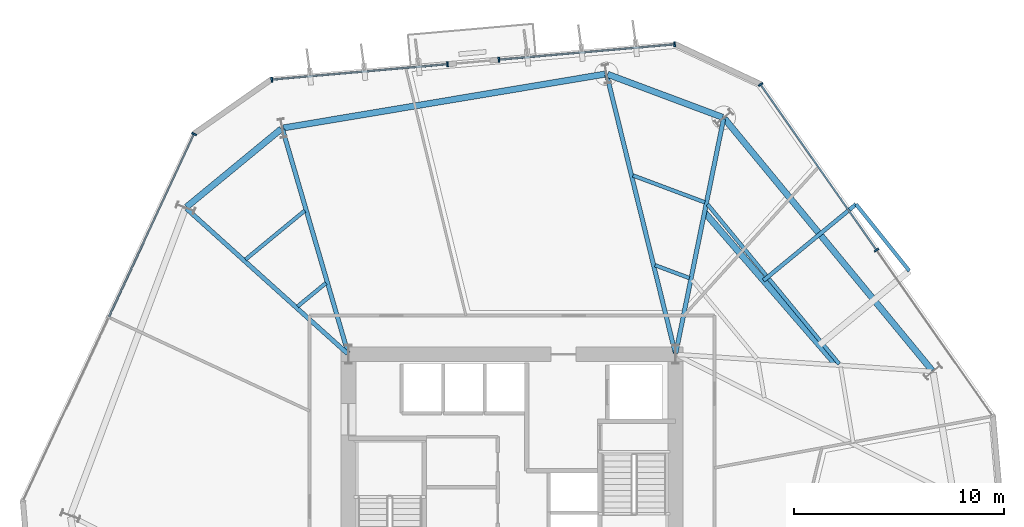
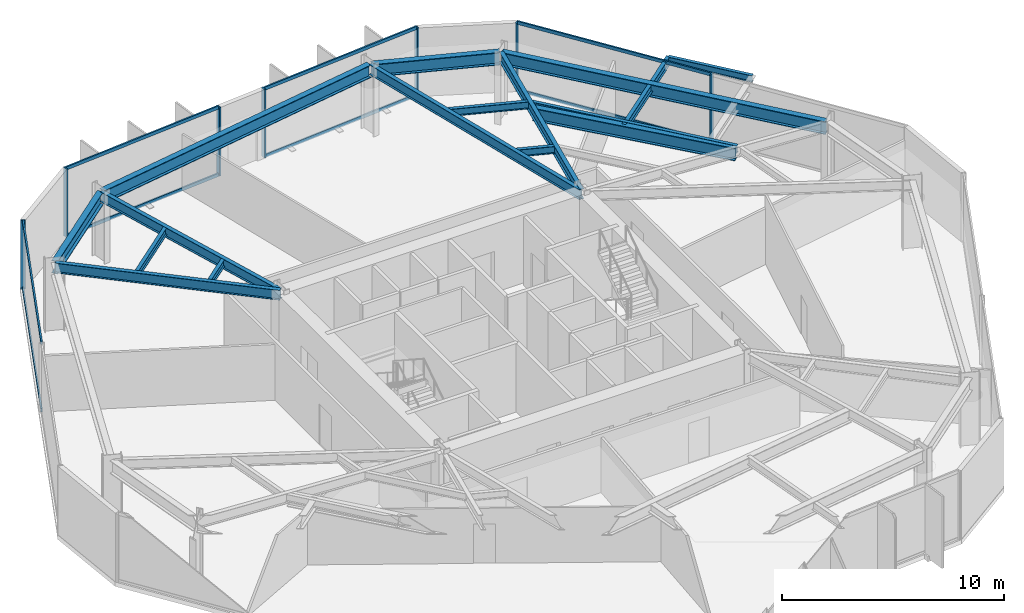
# One storey, part 5 of 11: 16 beams, 15 members, 4 elements without a shape of their own.
"""IFC4 building model written with IfcOpenShell, lengths in metres."""

from ifc_helpers import new_model, si_unit, direction, frame, origin, origin_2d, place, context, subcontext, project, spatial, rectangle, i_section, extrude, material, layer, layer_set, material_profile, profile_set, type_object, element, aggregate, save


model = new_model("IFC4")

# Units and contexts
model_context = context("Model", 3, precision=1e-05, world=origin(), true_north=direction((0.0, 1.0)))
body_context = subcontext(model_context, "Body", "Model", "MODEL_VIEW")
ifc_project = project(units=[si_unit("LENGTHUNIT", "METRE"), si_unit("AREAUNIT", "SQUARE_METRE"), si_unit("VOLUMEUNIT", "CUBIC_METRE"), si_unit("PLANEANGLEUNIT", "RADIAN"), si_unit("MASSUNIT", "GRAM", prefix="KILO")], contexts=[model_context])

# Site, building, storey
site_placement = place(None, origin())
site = spatial("IfcSite", under=ifc_project, at=site_placement, CompositionType="ELEMENT")
building_placement = place(site_placement, origin())
building = spatial("IfcBuilding", under=site, at=building_placement, Name="Kranzbogen Civic Tower", CompositionType="ELEMENT")
storey_placement = place(building_placement, frame((0.0, 0.0, 40.0)))
storey = spatial("IfcBuildingStorey", under=building, at=storey_placement, Name="L09", CompositionType="ELEMENT", Elevation=40.0)

# Beam
ifc_material_1 = material(Name="Steel S355", Category="steel")
ifc_material_profile_1 = material_profile(ifc_material_1, i_section(OverallWidth=0.18994140625, OverallDepth=0.449951171875, WebThickness=0.009521484375, FlangeThickness=0.0146484375, at=origin_2d()), Name="IPE 450")
ifc_profile_set_1 = profile_set([ifc_material_profile_1], Name="Steel S355")
beam_type_1 = type_object("IfcBeamType", Name="Braced Terrace Edge Beam IPE 450", PredefinedType="BEAM", material=ifc_profile_set_1)
beam_1_placement = place(storey_placement, frame((36.993896484375, 35.72412109375, 3.52490234375), z_axis=(0.771683549962, 0.636006681346, 0.0), x_axis=(-0.636006681346, 0.771683549962, 0.0)))
element("IfcBeam", 1, at=beam_1_placement, inside=storey, type_object=beam_type_1, Name="L10 back-spanned terrace beam L10-TB2-2", PredefinedType="BEAM", context=body_context, shape_type="SweptSolid", body=[
    extrude(i_section(OverallWidth=0.18994140625, OverallDepth=0.449951171875, WebThickness=0.009521484375, FlangeThickness=0.0146484375, at=origin_2d()), origin(), (0.0, 0.0, 1.0), 5.715087890625),
])

# Curtain wall, members
ifc_material_2 = material(Name="Pale Anodised Aluminium", Category="aluminium")
ifc_layer = layer(ifc_material_2, 0.219970703125, Name="Pale Anodised Aluminium")
ifc_layer_set = layer_set([ifc_layer], Name="Pale Anodised Aluminium")
curtain_wall_type = type_object("IfcCurtainWallType", Name="Zone 1 Stick Curtain Wall System CW-02", PredefinedType="USERDEFINED", material=ifc_layer_set)
curtain_wall_1_placement = place(storey_placement, origin())
curtain_wall_1 = element("IfcCurtainWall", 2, at=curtain_wall_1_placement, inside=storey, type_object=curtain_wall_type, Name="L09 curtain wall CW-L09-F1", ObjectType="STICK CURTAIN WALL", PredefinedType="USERDEFINED")
ifc_material_profile_2 = material_profile(ifc_material_2, rectangle(XDim=0.080078125, YDim=0.239990234375, at=origin_2d()), Name="ALU-M 80x240")
ifc_profile_set_2 = profile_set([ifc_material_profile_2], Name="Pale Anodised Aluminium")
member_type_1 = type_object("IfcMemberType", Name="Curtain Wall Mullion ALU-M 80x240", PredefinedType="MULLION", material=ifc_profile_set_2)
member_1_placement = place(storey_placement, frame((42.384521484375, 37.172607421875, 0.0), z_axis=(0.0, 0.0, 1.0), x_axis=(-0.573562973826, 0.819161470685, 0.0)))
member_1 = element("IfcMember", 3, at=member_1_placement, type_object=member_type_1, Name="CW-02 mullion 2", PredefinedType="MULLION", context=body_context, shape_type="SweptSolid", body=[
    extrude(rectangle(XDim=0.080078125, YDim=0.239990234375, at=origin_2d()), origin(), (0.0, 0.0, 1.0), 3.760009765625),
])
member_2_placement = place(storey_placement, frame((36.855224609375, 45.0693359375, 0.0), z_axis=(0.0, 0.0, 1.0), x_axis=(-0.573562973826, 0.819161470685, 0.0)))
member_2 = element("IfcMember", 4, at=member_2_placement, type_object=member_type_1, Name="CW-02 mullion 3", PredefinedType="MULLION", context=body_context, shape_type="SweptSolid", body=[
    extrude(rectangle(XDim=0.080078125, YDim=0.239990234375, at=origin_2d()), origin(), (0.0, 0.0, 1.0), 3.760009765625),
])

curtain_wall_2_placement = place(storey_placement, origin())
curtain_wall_2 = element("IfcCurtainWall", 5, at=curtain_wall_2_placement, inside=storey, type_object=curtain_wall_type, Name="L09 curtain wall CW-L09-F2-S1", ObjectType="STICK CURTAIN WALL", PredefinedType="USERDEFINED")
member_3_placement = place(storey_placement, frame((32.754150390625, 46.982421875, 0.0), z_axis=(0.0, 0.0, 1.0), x_axis=(-0.996197048613, -0.087128871992, 0.0)))
member_3 = element("IfcMember", 6, at=member_3_placement, type_object=member_type_1, Name="CW-02 mullion 1", PredefinedType="MULLION", context=body_context, shape_type="SweptSolid", body=[
    extrude(rectangle(XDim=0.080078125, YDim=0.239990234375, at=origin_2d()), origin(), (0.0, 0.0, 1.0), 3.760009765625),
])
member_4_placement = place(storey_placement, frame((24.3759765625, 46.24951171875, 0.0), z_axis=(0.0, 0.0, 1.0), x_axis=(-0.996197048613, -0.087128871992, 0.0)))
member_4 = element("IfcMember", 7, at=member_4_placement, type_object=member_type_1, Name="CW-02 mullion 2", PredefinedType="MULLION", context=body_context, shape_type="SweptSolid", body=[
    extrude(rectangle(XDim=0.080078125, YDim=0.239990234375, at=origin_2d()), origin(), (0.0, 0.0, 1.0), 3.760009765625),
])

curtain_wall_3_placement = place(storey_placement, origin())
curtain_wall_3 = element("IfcCurtainWall", 8, at=curtain_wall_3_placement, inside=storey, type_object=curtain_wall_type, Name="L09 curtain wall CW-L09-F2-S2", ObjectType="STICK CURTAIN WALL", PredefinedType="USERDEFINED")
member_5_placement = place(storey_placement, frame((21.925048828125, 46.034423828125, 0.0), z_axis=(0.0, 0.0, 1.0), x_axis=(-0.996197048613, -0.087128871992, 0.0)))
member_5 = element("IfcMember", 9, at=member_5_placement, type_object=member_type_1, Name="CW-02 mullion 1", PredefinedType="MULLION", context=body_context, shape_type="SweptSolid", body=[
    extrude(rectangle(XDim=0.080078125, YDim=0.239990234375, at=origin_2d()), origin(), (0.0, 0.0, 1.0), 3.760009765625),
])
member_6_placement = place(storey_placement, frame((13.546875, 45.301513671875, 0.0), z_axis=(0.0, 0.0, 1.0), x_axis=(-0.996197048613, -0.087128871992, 0.0)))
member_6 = element("IfcMember", 10, at=member_6_placement, type_object=member_type_1, Name="CW-02 mullion 2", PredefinedType="MULLION", context=body_context, shape_type="SweptSolid", body=[
    extrude(rectangle(XDim=0.080078125, YDim=0.239990234375, at=origin_2d()), origin(), (0.0, 0.0, 1.0), 3.760009765625),
])

# Curtain wall, member
curtain_wall_4_placement = place(storey_placement, origin())
curtain_wall_4 = element("IfcCurtainWall", 11, at=curtain_wall_4_placement, inside=storey, type_object=curtain_wall_type, Name="L09 curtain wall CW-L09-F3", ObjectType="STICK CURTAIN WALL", PredefinedType="USERDEFINED")
member_7_placement = place(storey_placement, frame((9.84033203125, 42.706787109375, 0.0), z_axis=(0.0, 0.0, 1.0), x_axis=(-0.422622213878, -0.906305944114, 0.0)))
member_7 = element("IfcMember", 12, at=member_7_placement, type_object=member_type_1, Name="CW-02 mullion 1", PredefinedType="MULLION", context=body_context, shape_type="SweptSolid", body=[
    extrude(rectangle(XDim=0.080078125, YDim=0.239990234375, at=origin_2d()), origin(), (0.0, 0.0, 1.0), 3.760009765625),
])

# Member
ifc_material_profile_3 = material_profile(ifc_material_2, rectangle(XDim=0.080078125, YDim=0.179931640625, at=origin_2d()), Name="ALU-T 80x180")
ifc_profile_set_3 = profile_set([ifc_material_profile_3], Name="Pale Anodised Aluminium")
member_type_2 = type_object("IfcMemberType", Name="Curtain Wall Transom ALU-T 80x180", PredefinedType="USERDEFINED", material=ifc_profile_set_3)
member_8_placement = place(storey_placement, frame((42.3671875, 37.197021484375, 0.030029296875), z_axis=(-0.573556407074, 0.819166068575, 0.0), x_axis=(-0.819166068575, -0.573556407074, 0.0)))
member_8 = element("IfcMember", 13, at=member_8_placement, type_object=member_type_2, Name="CW-02 transom 2.1", ObjectType="TRANSOM", PredefinedType="USERDEFINED", context=body_context, shape_type="SweptSolid", body=[
    extrude(rectangle(XDim=0.080078125, YDim=0.179931640625, at=origin_2d()), origin(), (0.0, 0.0, 1.0), 9.580322265625),
])

member_9_placement = place(storey_placement, frame((42.3671875, 37.197021484375, 3.72998046875), z_axis=(-0.573556407074, 0.819166068575, 0.0), x_axis=(-0.819166068575, -0.573556407074, 0.0)))
member_9 = element("IfcMember", 14, at=member_9_placement, type_object=member_type_2, Name="CW-02 transom 2.2", ObjectType="TRANSOM", PredefinedType="USERDEFINED", context=body_context, shape_type="SweptSolid", body=[
    extrude(rectangle(XDim=0.080078125, YDim=0.179931640625, at=origin_2d()), origin(), (0.0, 0.0, 1.0), 9.580322265625),
])

aggregate(curtain_wall_1, [member_1, member_2, member_8, member_9])

member_10_placement = place(storey_placement, frame((32.72412109375, 46.979736328125, 0.030029296875), z_axis=(-0.996197017334, -0.087129229621, 0.0), x_axis=(0.087129229621, -0.996197017334, 0.0)))
member_10 = element("IfcMember", 15, at=member_10_placement, type_object=member_type_2, Name="CW-02 transom 1.1", ObjectType="TRANSOM", PredefinedType="USERDEFINED", context=body_context, shape_type="SweptSolid", body=[
    extrude(rectangle(XDim=0.080078125, YDim=0.179931640625, at=origin_2d()), origin(), (0.0, 0.0, 1.0), 8.35009765625),
])

member_11_placement = place(storey_placement, frame((32.72412109375, 46.979736328125, 3.72998046875), z_axis=(-0.996197017334, -0.087129229621, 0.0), x_axis=(0.087129229621, -0.996197017334, 0.0)))
member_11 = element("IfcMember", 16, at=member_11_placement, type_object=member_type_2, Name="CW-02 transom 1.2", ObjectType="TRANSOM", PredefinedType="USERDEFINED", context=body_context, shape_type="SweptSolid", body=[
    extrude(rectangle(XDim=0.080078125, YDim=0.179931640625, at=origin_2d()), origin(), (0.0, 0.0, 1.0), 8.35009765625),
])

aggregate(curtain_wall_2, [member_3, member_4, member_10, member_11])

member_12_placement = place(storey_placement, frame((21.895263671875, 46.03173828125, 0.030029296875), z_axis=(-0.996197239285, -0.087126691899, 0.0), x_axis=(0.087126691899, -0.996197239285, 0.0)))
member_12 = element("IfcMember", 17, at=member_12_placement, type_object=member_type_2, Name="CW-02 transom 1.1", ObjectType="TRANSOM", PredefinedType="USERDEFINED", context=body_context, shape_type="SweptSolid", body=[
    extrude(rectangle(XDim=0.080078125, YDim=0.179931640625, at=origin_2d()), origin(), (0.0, 0.0, 1.0), 8.350341796875),
])

member_13_placement = place(storey_placement, frame((21.895263671875, 46.03173828125, 3.72998046875), z_axis=(-0.996197239285, -0.087126691899, 0.0), x_axis=(0.087126691899, -0.996197239285, 0.0)))
member_13 = element("IfcMember", 18, at=member_13_placement, type_object=member_type_2, Name="CW-02 transom 1.2", ObjectType="TRANSOM", PredefinedType="USERDEFINED", context=body_context, shape_type="SweptSolid", body=[
    extrude(rectangle(XDim=0.080078125, YDim=0.179931640625, at=origin_2d()), origin(), (0.0, 0.0, 1.0), 8.350341796875),
])

aggregate(curtain_wall_3, [member_5, member_6, member_12, member_13])

member_14_placement = place(storey_placement, frame((9.82763671875, 42.6796875, 0.030029296875), z_axis=(-0.422624579346, -0.906304841062, 0.0), x_axis=(0.906304841062, -0.422624579346, 0.0)))
member_14 = element("IfcMember", 19, at=member_14_placement, type_object=member_type_2, Name="CW-02 transom 1.1", ObjectType="TRANSOM", PredefinedType="USERDEFINED", context=body_context, shape_type="SweptSolid", body=[
    extrude(rectangle(XDim=0.080078125, YDim=0.179931640625, at=origin_2d()), origin(), (0.0, 0.0, 1.0), 9.580810546875),
])

member_15_placement = place(storey_placement, frame((9.82763671875, 42.6796875, 3.72998046875), z_axis=(-0.422624579346, -0.906304841062, 0.0), x_axis=(0.906304841062, -0.422624579346, 0.0)))
member_15 = element("IfcMember", 20, at=member_15_placement, type_object=member_type_2, Name="CW-02 transom 1.2", ObjectType="TRANSOM", PredefinedType="USERDEFINED", context=body_context, shape_type="SweptSolid", body=[
    extrude(rectangle(XDim=0.080078125, YDim=0.179931640625, at=origin_2d()), origin(), (0.0, 0.0, 1.0), 9.580810546875),
])

aggregate(curtain_wall_4, [member_7, member_14, member_15])

# Beams
ifc_material_profile_4 = material_profile(ifc_material_1, i_section(OverallWidth=0.300048828125, OverallDepth=0.699951171875, WebThickness=0.01708984375, FlangeThickness=0.031982421875, at=origin_2d()), Name="HEB 700")
ifc_profile_set_4 = profile_set([ifc_material_profile_4], Name="Steel S355")
beam_type_2 = type_object("IfcBeamType", Name="Perimeter Tube Spandrel Beam HEB 700", PredefinedType="SPANDREL", material=ifc_profile_set_4)
beam_2_placement = place(storey_placement, frame((45.033935546875, 31.431884765625, 3.409912109375), z_axis=(-0.636074572579, 0.771627590304, 0.0), x_axis=(-0.771627590304, -0.636074572579, 0.0)))
element("IfcBeam", 21, at=beam_2_placement, inside=storey, type_object=beam_type_2, Name="L09 perimeter spandrel beam 08", PredefinedType="SPANDREL", context=body_context, shape_type="SweptSolid", body=[
    extrude(i_section(OverallWidth=0.300048828125, OverallDepth=0.699951171875, WebThickness=0.01708984375, FlangeThickness=0.031982421875, at=origin_2d()), origin(), (0.0, 0.0, 1.0), 15.5595703125),
])
beam_3_placement = place(storey_placement, frame((35.04296875, 43.5048828125, 3.409912109375), z_axis=(-0.936647646965, 0.350273015568, 0.0), x_axis=(-0.350273015568, -0.936647646965, 0.0)))
element("IfcBeam", 22, at=beam_3_placement, inside=storey, type_object=beam_type_2, Name="L09 perimeter spandrel beam 09", PredefinedType="SPANDREL", context=body_context, shape_type="SweptSolid", body=[
    extrude(i_section(OverallWidth=0.300048828125, OverallDepth=0.699951171875, WebThickness=0.01708984375, FlangeThickness=0.031982421875, at=origin_2d()), origin(), (0.0, 0.0, 1.0), 5.852783203125),
])
beam_4_placement = place(storey_placement, frame((29.446044921875, 45.56591796875, 3.409912109375), z_axis=(-0.986285563243, -0.165047834697, 0.0), x_axis=(0.165047834697, -0.986285563243, 0.0)))
element("IfcBeam", 23, at=beam_4_placement, inside=storey, type_object=beam_type_2, Name="L09 perimeter spandrel beam 10", PredefinedType="SPANDREL", context=body_context, shape_type="SweptSolid", body=[
    extrude(i_section(OverallWidth=0.300048828125, OverallDepth=0.699951171875, WebThickness=0.01708984375, FlangeThickness=0.031982421875, at=origin_2d()), origin(), (0.0, 0.0, 1.0), 15.558349609375),
])
beam_5_placement = place(storey_placement, frame((13.99609375, 42.949951171875, 3.409912109375), z_axis=(-0.77168336865, -0.636006901337, 0.0), x_axis=(0.636006901337, -0.77168336865, 0.0)))
element("IfcBeam", 24, at=beam_5_placement, inside=storey, type_object=beam_type_2, Name="L09 perimeter spandrel beam 11", PredefinedType="SPANDREL", context=body_context, shape_type="SweptSolid", body=[
    extrude(i_section(OverallWidth=0.300048828125, OverallDepth=0.699951171875, WebThickness=0.01708984375, FlangeThickness=0.031982421875, at=origin_2d()), origin(), (0.0, 0.0, 1.0), 5.853515625),
])
beam_6_placement = place(storey_placement, frame((40.48193359375, 31.68994140625, 3.39990234375), z_axis=(-0.654072384898, 0.75643196344, 0.0), x_axis=(-0.75643196344, -0.654072384898, 0.0)))
element("IfcBeam", 25, at=beam_6_placement, inside=storey, type_object=beam_type_2, Name="L10 balcony back-span header girder L10-TB2", PredefinedType="SPANDREL", context=body_context, shape_type="SweptSolid", body=[
    extrude(i_section(OverallWidth=0.300048828125, OverallDepth=0.699951171875, WebThickness=0.01708984375, FlangeThickness=0.031982421875, at=origin_2d()), origin(), (0.0, 0.0, 1.0), 9.633544921875),
])
ifc_material_profile_5 = material_profile(ifc_material_1, i_section(OverallWidth=0.2099609375, OverallDepth=0.550048828125, WebThickness=0.010986328125, FlangeThickness=0.01708984375, at=origin_2d()), Name="IPE 550")
ifc_profile_set_5 = profile_set([ifc_material_profile_5], Name="Steel S355")
beam_type_3 = type_object("IfcBeamType", Name="Radial Tower Floor Girder IPE 550", PredefinedType="BEAM", material=ifc_profile_set_5)
beam_7_placement = place(storey_placement, frame((35.0869140625, 43.425048828125, 3.485107421875), z_axis=(-0.199633433694, -0.979870650725, 0.0), x_axis=(0.979870650725, -0.199633433694, 0.0)))
element("IfcBeam", 26, at=beam_7_placement, inside=storey, type_object=beam_type_3, Name="L09 radial floor girder 09", PredefinedType="BEAM", context=body_context, shape_type="SweptSolid", body=[
    extrude(i_section(OverallWidth=0.2099609375, OverallDepth=0.550048828125, WebThickness=0.010986328125, FlangeThickness=0.01708984375, at=origin_2d()), origin(), (0.0, 0.0, 1.0), 11.3955078125),
])
beam_8_placement = place(storey_placement, frame((29.51904296875, 45.51806640625, 3.485107421875), z_axis=(0.239215348776, -0.970966537482, 0.0), x_axis=(0.970966537482, 0.239215348776, 0.0)))
element("IfcBeam", 27, at=beam_8_placement, inside=storey, type_object=beam_type_3, Name="L09 radial floor girder 10", PredefinedType="BEAM", context=body_context, shape_type="SweptSolid", body=[
    extrude(i_section(OverallWidth=0.2099609375, OverallDepth=0.550048828125, WebThickness=0.010986328125, FlangeThickness=0.01708984375, at=origin_2d()), origin(), (0.0, 0.0, 1.0), 13.656494140625),
])
beam_9_placement = place(storey_placement, frame((14.05908203125, 42.929931640625, 3.485107421875), z_axis=(0.280944131918, -0.959724124288, 0.0), x_axis=(0.959724124288, 0.280944131918, 0.0)))
element("IfcBeam", 28, at=beam_9_placement, inside=storey, type_object=beam_type_3, Name="L09 radial floor girder 11", PredefinedType="BEAM", context=body_context, shape_type="SweptSolid", body=[
    extrude(i_section(OverallWidth=0.2099609375, OverallDepth=0.550048828125, WebThickness=0.010986328125, FlangeThickness=0.01708984375, at=origin_2d()), origin(), (0.0, 0.0, 1.0), 11.11962890625),
])
beam_10_placement = place(storey_placement, frame((9.47802734375, 39.14892578125, 3.485107421875), z_axis=(0.743311776894, -0.668945141496, 0.0), x_axis=(0.668945141496, 0.743311776894, 0.0)))
element("IfcBeam", 29, at=beam_10_placement, inside=storey, type_object=beam_type_3, Name="L09 radial floor girder 12", PredefinedType="BEAM", context=body_context, shape_type="SweptSolid", body=[
    extrude(i_section(OverallWidth=0.2099609375, OverallDepth=0.550048828125, WebThickness=0.010986328125, FlangeThickness=0.01708984375, at=origin_2d()), origin(), (0.0, 0.0, 1.0), 10.328125),
])
ifc_material_profile_6 = material_profile(ifc_material_1, i_section(OverallWidth=0.169921875, OverallDepth=0.360107421875, WebThickness=0.008056640625, FlangeThickness=0.0126953125, at=origin_2d()), Name="IPE 360")
ifc_profile_set_6 = profile_set([ifc_material_profile_6], Name="Steel S355")
beam_type_4 = type_object("IfcBeamType", Name="Secondary Composite Floor Joist IPE 360", PredefinedType="JOIST", material=ifc_profile_set_6)
beam_11_placement = place(storey_placement, frame((43.947021484375, 36.177978515625, 3.570068359375), z_axis=(-0.624431820059, 0.781079318698, 0.0), x_axis=(-0.781079318698, -0.624431820059, 0.0)))
element("IfcBeam", 30, at=beam_11_placement, inside=storey, type_object=beam_type_4, Name="L10 terrace outer edge trimmer L10-TB2", PredefinedType="JOIST", context=body_context, shape_type="SweptSolid", body=[
    extrude(i_section(OverallWidth=0.169921875, OverallDepth=0.360107421875, WebThickness=0.008056640625, FlangeThickness=0.0126953125, at=origin_2d()), origin(), (0.0, 0.0, 1.0), 4.072509765625),
])
ifc_material_profile_7 = material_profile(ifc_material_1, i_section(OverallWidth=0.179931640625, OverallDepth=0.39990234375, WebThickness=0.008544921875, FlangeThickness=0.013427734375, at=origin_2d()), Name="IPE 400")
ifc_profile_set_7 = profile_set([ifc_material_profile_7], Name="Steel S355")
beam_type_5 = type_object("IfcBeamType", Name="Secondary Composite Floor Joist IPE 400", PredefinedType="JOIST", material=ifc_profile_set_7)
beam_12_placement = place(storey_placement, frame((40.60302734375, 31.740966796875, 3.56005859375), z_axis=(-0.636094561772, 0.771611112209, 0.0), x_axis=(-0.771611112209, -0.636094561772, 0.0)))
element("IfcBeam", 31, at=beam_12_placement, inside=storey, type_object=beam_type_5, Name="L09 secondary floor joist 1.08", PredefinedType="JOIST", context=body_context, shape_type="SweptSolid", body=[
    extrude(i_section(OverallWidth=0.179931640625, OverallDepth=0.39990234375, WebThickness=0.008544921875, FlangeThickness=0.013427734375, at=origin_2d()), origin(), (0.0, 0.0, 1.0), 9.874267578125),
])
beam_13_placement = place(storey_placement, frame((34.196044921875, 39.449951171875, 3.56005859375), z_axis=(-0.936622008794, 0.350341565678, 0.0), x_axis=(-0.350341565678, -0.936622008794, 0.0)))
element("IfcBeam", 32, at=beam_13_placement, inside=storey, type_object=beam_type_5, Name="L09 secondary floor joist 1.09", PredefinedType="JOIST", context=body_context, shape_type="SweptSolid", body=[
    extrude(i_section(OverallWidth=0.179931640625, OverallDepth=0.39990234375, WebThickness=0.008544921875, FlangeThickness=0.013427734375, at=origin_2d()), origin(), (0.0, 0.0, 1.0), 3.662109375),
])
beam_14_placement = place(storey_placement, frame((33.4609375, 35.839111328125, 3.56005859375), z_axis=(-0.936735458815, 0.350038112495, 0.0), x_axis=(-0.350038112495, -0.936735458815, 0.0)))
element("IfcBeam", 33, at=beam_14_placement, inside=storey, type_object=beam_type_5, Name="L09 secondary floor joist 2.09", PredefinedType="JOIST", context=body_context, shape_type="SweptSolid", body=[
    extrude(i_section(OverallWidth=0.179931640625, OverallDepth=0.39990234375, WebThickness=0.008544921875, FlangeThickness=0.013427734375, at=origin_2d()), origin(), (0.0, 0.0, 1.0), 1.750732421875),
])
beam_15_placement = place(storey_placement, frame((15.116943359375, 39.052978515625, 3.56005859375), z_axis=(-0.771712720426, -0.635971286406, 0.0), x_axis=(0.635971286406, -0.771712720426, 0.0)))
element("IfcBeam", 34, at=beam_15_placement, inside=storey, type_object=beam_type_5, Name="L09 secondary floor joist 1.11", PredefinedType="JOIST", context=body_context, shape_type="SweptSolid", body=[
    extrude(i_section(OverallWidth=0.179931640625, OverallDepth=0.39990234375, WebThickness=0.008544921875, FlangeThickness=0.013427734375, at=origin_2d()), origin(), (0.0, 0.0, 1.0), 3.661865234375),
])
beam_16_placement = place(storey_placement, frame((16.1279296875, 35.60107421875, 3.56005859375), z_axis=(-0.771773324836, -0.635897739477, 0.0), x_axis=(0.635897739477, -0.771773324836, 0.0)))
element("IfcBeam", 35, at=beam_16_placement, inside=storey, type_object=beam_type_5, Name="L09 secondary floor joist 2.11", PredefinedType="JOIST", context=body_context, shape_type="SweptSolid", body=[
    extrude(i_section(OverallWidth=0.179931640625, OverallDepth=0.39990234375, WebThickness=0.008544921875, FlangeThickness=0.013427734375, at=origin_2d()), origin(), (0.0, 0.0, 1.0), 1.751953125),
])

save(model, "model.ifc")
